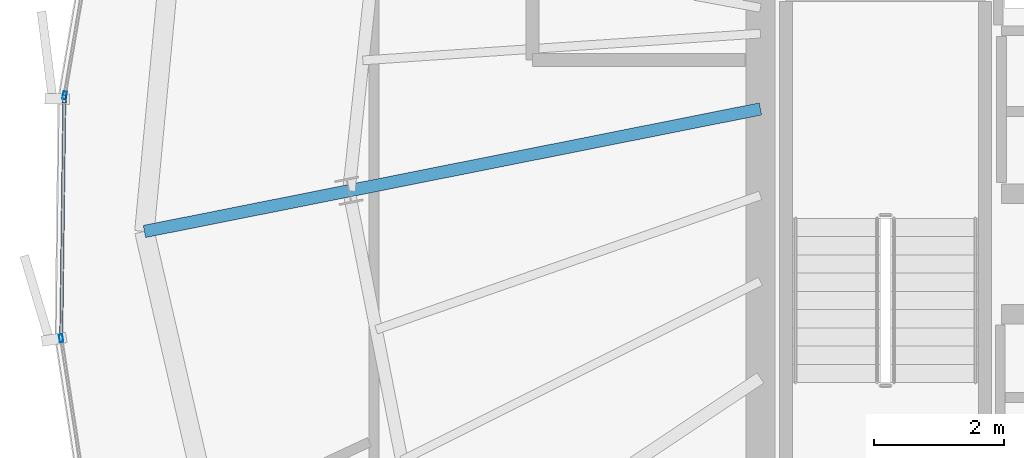
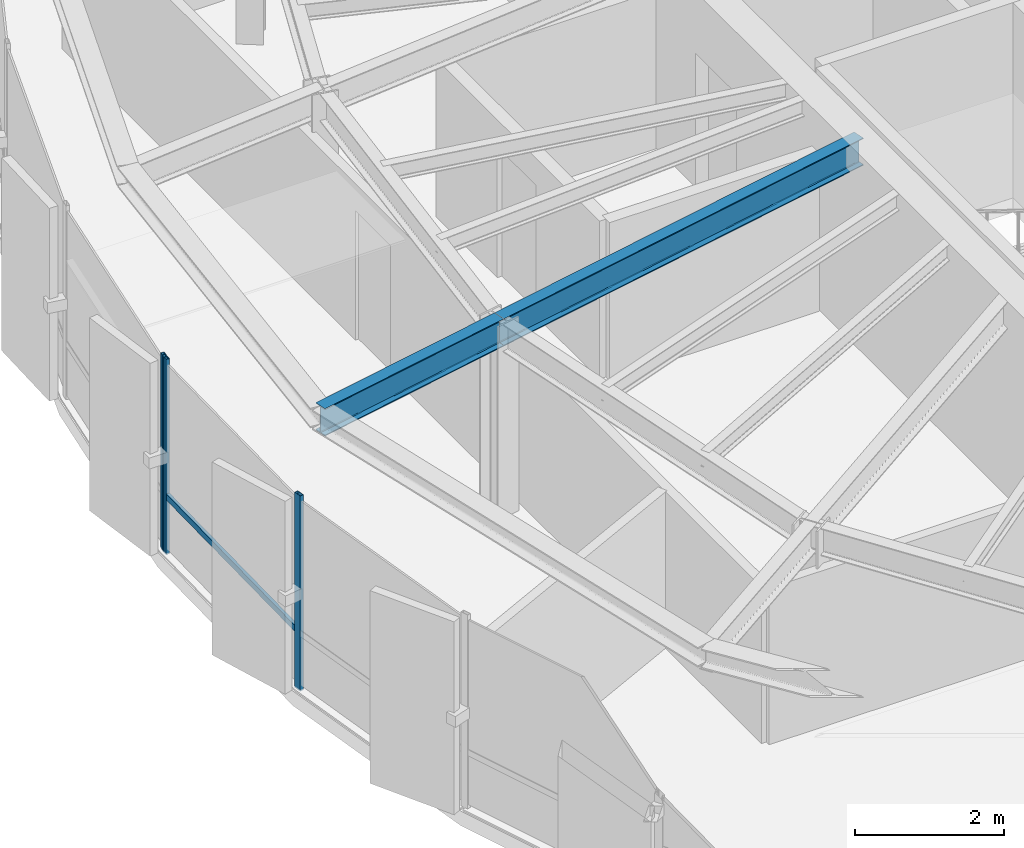
# One storey, part 9 of 32: 4 members, 2 beams, 2 elements without a shape of their own.
"""IFC4 building model written with IfcOpenShell, lengths in metres."""

from ifc_helpers import new_model, si_unit, direction, frame, origin, origin_2d, place, context, subcontext, project, spatial, hollow_rectangle, i_section, extrude, source, transform, mapped, material, layer, layer_set, material_profile, profile_set, type_object, element, aggregate, save


model = new_model("IFC4")

# Units and contexts
model_context = context("Model", 3, precision=1e-05, world=origin(), true_north=direction((0.0, 1.0)))
body_context = subcontext(model_context, "Body", "Model", "MODEL_VIEW")
ifc_project = project(units=[si_unit("LENGTHUNIT", "METRE"), si_unit("AREAUNIT", "SQUARE_METRE"), si_unit("VOLUMEUNIT", "CUBIC_METRE"), si_unit("PLANEANGLEUNIT", "RADIAN"), si_unit("MASSUNIT", "GRAM", prefix="KILO"), si_unit("THERMODYNAMICTEMPERATUREUNIT", "KELVIN")], contexts=[model_context])

# Site, building, storey
site_placement = place(None, origin())
site = spatial("IfcSite", under=ifc_project, at=site_placement, CompositionType="ELEMENT")
building_placement = place(site_placement, origin())
building = spatial("IfcBuilding", under=site, at=building_placement, Name="Kethvar Cultural Tower", CompositionType="ELEMENT")
storey_placement = place(building_placement, frame((0.0, 0.0, 273.25)))
storey = spatial("IfcBuildingStorey", under=building, at=storey_placement, Name="L72", CompositionType="ELEMENT", Elevation=273.25)

# Beams
ifc_material_1 = material(Name="Steel S355J2", Category="steel")
ifc_material_profile_1 = material_profile(ifc_material_1, i_section(OverallWidth=0.18994140625, OverallDepth=0.449951171875, WebThickness=0.009521484375, FlangeThickness=0.0146484375, FilletRadius=0.02099609375, at=origin_2d()), Name="Steel S355J2 — IPE450")
ifc_profile_set_1 = profile_set([ifc_material_profile_1], Name="Steel S355J2 — IPE450")
beam_type = type_object("IfcBeamType", Name="BM-IPE450", PredefinedType="BEAM", material=ifc_profile_set_1)
shared_shape_1 = source(origin(), body_context, "Body", "SweptSolid", [
    extrude(i_section(OverallWidth=0.18994140625, OverallDepth=0.449951171875, WebThickness=0.009521484375, FlangeThickness=0.0146484375, FilletRadius=0.02099609375, at=origin_2d()), origin(), (0.0, 0.0, 1.0), 3.2001953125),
])
beam_1_placement = place(storey_placement, frame((31.68310546875, 24.79296875, 2.98291015625), z_axis=(-0.980788453702, -0.195074368086, 0.0), x_axis=(0.195074368086, -0.980788453702, 0.0)))
element("IfcBeam", 1, at=beam_1_placement, inside=storey, type_object=beam_type, Name="L72 Perimeter Cantilever Beam RC-09", PredefinedType="BEAM", context=body_context, shape_type="MappedRepresentation", body=[
    mapped(shared_shape_1, transform((0.0, 0.0, 0.0), scale=1.0)),
])
shared_shape_2 = source(origin(), body_context, "Body", "SweptSolid", [
    extrude(i_section(OverallWidth=0.18994140625, OverallDepth=0.449951171875, WebThickness=0.009521484375, FlangeThickness=0.0146484375, FilletRadius=0.02099609375, at=origin_2d()), origin(), (0.0, 0.0, 1.0), 6.440673828125),
])
beam_2_placement = place(storey_placement, frame((38.0, 26.049560546875, 2.98291015625), z_axis=(-0.980782804096, -0.195102770839, 0.0), x_axis=(0.195102770839, -0.980782804096, 0.0)))
element("IfcBeam", 2, at=beam_2_placement, inside=storey, type_object=beam_type, Name="L72 Primary Radial Beam RB-09", PredefinedType="BEAM", context=body_context, shape_type="MappedRepresentation", body=[
    mapped(shared_shape_2, transform((0.0, 0.0, 0.0), scale=1.0)),
])

# Curtain wall, member
ifc_material_2 = material(Name="Aluminium 6063-T6", Category="aluminium")
ifc_layer = layer(ifc_material_2, 0.179931640625, Name="Aluminium 6063-T6", Category="aluminium")
ifc_layer_set = layer_set([ifc_layer], Name="Aluminium 6063-T6 (180 mm)")
curtain_wall_type = type_object("IfcCurtainWallType", Name="CW-SYS-05-Z56", PredefinedType="NOTDEFINED", material=ifc_layer_set)
curtain_wall_1_placement = place(storey_placement, origin())
curtain_wall_1 = element("IfcCurtainWall", 3, at=curtain_wall_1_placement, inside=storey, type_object=curtain_wall_type, Name="L72 Curtain Wall Run 02", PredefinedType="NOTDEFINED")
ifc_material_profile_2 = material_profile(ifc_material_2, hollow_rectangle(XDim=0.054931640625, YDim=0.1201171875, WallThickness=0.00390625, at=origin_2d()), Name="Aluminium 6063-T6 — RHS120x55x4")
ifc_profile_set_2 = profile_set([ifc_material_profile_2], Name="Aluminium 6063-T6 — RHS120x55x4")
member_type_1 = type_object("IfcMemberType", Name="CW-SYS-05-Z56-MUL", PredefinedType="MULLION", material=ifc_profile_set_2)
shared_shape_3 = source(origin(), body_context, "Body", "SweptSolid", [
    extrude(hollow_rectangle(XDim=0.054931640625, YDim=0.1201171875, WallThickness=0.00390625, at=origin_2d()), origin(), (0.0, 0.0, 1.0), 3.2099609375),
])
member_1_placement = place(storey_placement, frame((27.319580078125, 26.2578125, 0.0), z_axis=(0.0, 0.0, 1.0), x_axis=(0.985765157463, -0.168128089065, 0.0)))
member_1 = element("IfcMember", 4, at=member_1_placement, type_object=member_type_1, Name="CW-L72-R02 Mullion 7", PredefinedType="MULLION", context=body_context, shape_type="MappedRepresentation", body=[
    mapped(shared_shape_3, transform((0.0, 0.0, 0.0), scale=1.0)),
])
aggregate(curtain_wall_1, [member_1])

# Curtain wall, members
curtain_wall_2_placement = place(storey_placement, origin())
curtain_wall_2 = element("IfcCurtainWall", 5, at=curtain_wall_2_placement, inside=storey, type_object=curtain_wall_type, Name="L72 Curtain Wall Run 03", PredefinedType="NOTDEFINED")
member_2_placement = place(storey_placement, frame((27.314453125, 26.202392578125, 0.0), z_axis=(0.0, 0.0, 1.0), x_axis=(0.999915692831, -0.012984884716, 0.0)))
member_2 = element("IfcMember", 6, at=member_2_placement, type_object=member_type_1, Name="CW-L72-R03 Mullion 1", PredefinedType="MULLION", context=body_context, shape_type="MappedRepresentation", body=[
    mapped(shared_shape_3, transform((0.0, 0.0, 0.0), scale=1.0)),
])
member_3_placement = place(storey_placement, frame((27.265380859375, 22.52978515625, 0.0), z_axis=(0.0, 0.0, 1.0), x_axis=(0.988377435372, 0.152019884381, 0.0)))
member_3 = element("IfcMember", 7, at=member_3_placement, type_object=member_type_1, Name="CW-L72-R03 Mullion 2", PredefinedType="MULLION", context=body_context, shape_type="MappedRepresentation", body=[
    mapped(shared_shape_3, transform((0.0, 0.0, 0.0), scale=1.0)),
])
ifc_material_profile_3 = material_profile(ifc_material_2, hollow_rectangle(XDim=0.050048828125, YDim=0.10009765625, WallThickness=0.00390625, at=origin_2d()), Name="Aluminium 6063-T6 — RHS100x50x4")
ifc_profile_set_3 = profile_set([ifc_material_profile_3], Name="Aluminium 6063-T6 — RHS100x50x4")
member_type_2 = type_object("IfcMemberType", Name="CW-SYS-05-Z56-TRN", PredefinedType="USERDEFINED", material=ifc_profile_set_3)
shared_shape_4 = source(origin(), body_context, "Body", "SweptSolid", [
    extrude(hollow_rectangle(XDim=0.050048828125, YDim=0.10009765625, WallThickness=0.00390625, at=origin_2d()), origin(), (0.0, 0.0, 1.0), 3.64599609375),
])
member_4_placement = place(storey_placement, frame((27.314453125, 26.198486328125, 0.949951171875), z_axis=(-0.012990265241, -0.999915622945, 0.0), x_axis=(0.999915622945, -0.012990265241, 0.0)))
member_4 = element("IfcMember", 8, at=member_4_placement, type_object=member_type_2, Name="CW-L72-R03 Transom 1", ObjectType="TRANSOM", PredefinedType="USERDEFINED", context=body_context, shape_type="MappedRepresentation", body=[
    mapped(shared_shape_4, transform((0.0, 0.0, 0.0), scale=1.0)),
])
aggregate(curtain_wall_2, [member_2, member_3, member_4])

save(model, "model.ifc")
